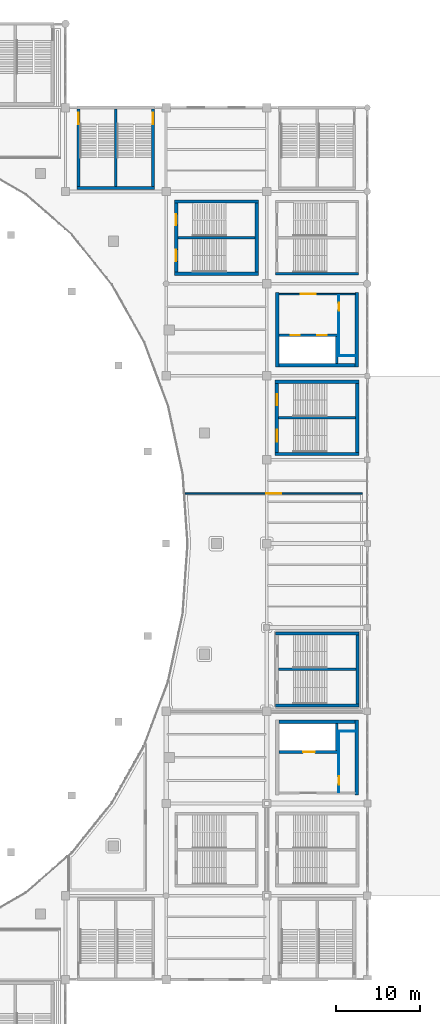
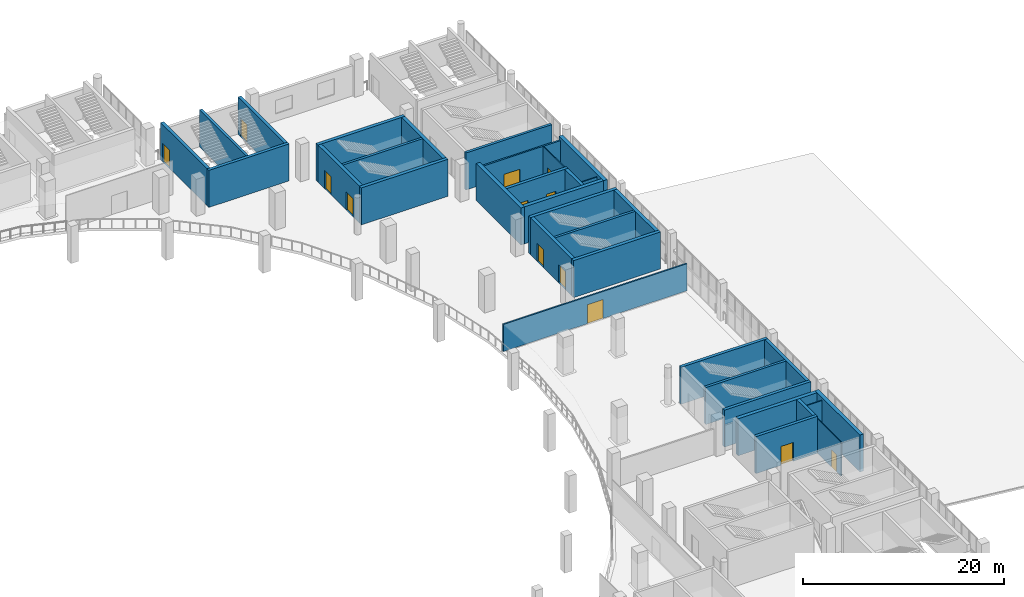
# One storey, part 85 of 108: 34 walls, 13 doors, 13 openings.
"""IFC4 building model written with IfcOpenShell, lengths in metres."""

from ifc_helpers import new_model, si_unit, direction, frame, frame_2d, origin, place, context, subcontext, project, spatial, rectangle, extrude, material, layer, layer_set, type_object, element, fill, save


model = new_model("IFC4")

# Units and contexts
model_context = context("Model", 3, precision=1e-05, world=origin(), true_north=direction((0.0, 1.0)))
body_context = subcontext(model_context, "Body", "Model", "MODEL_VIEW")
ifc_project = project(units=[si_unit("LENGTHUNIT", "METRE"), si_unit("AREAUNIT", "SQUARE_METRE"), si_unit("VOLUMEUNIT", "CUBIC_METRE"), si_unit("PLANEANGLEUNIT", "RADIAN"), si_unit("MASSUNIT", "GRAM", prefix="KILO")], contexts=[model_context])

# Site, building, storey
site_placement = place(None, origin())
site = spatial("IfcSite", under=ifc_project, at=site_placement, CompositionType="ELEMENT")
building_placement = place(site_placement, origin())
building = spatial("IfcBuilding", under=site, at=building_placement, Name="Brinegate Civic Arena", CompositionType="ELEMENT")
storey_placement = place(building_placement, frame((0.0, 0.0, 10.199951171875)))
storey = spatial("IfcBuildingStorey", under=building, at=storey_placement, Name="L02", CompositionType="ELEMENT", Elevation=10.199951171875)

# Walls
ifc_material_1 = material(Name="Concrete C50/60", Category="concrete")
ifc_layer_1 = layer(ifc_material_1, 0.35009765625, Name="Concrete C50/60")
ifc_layer_set_1 = layer_set([ifc_layer_1], Name="Concrete C50/60")
wall_type_1 = type_object("IfcWallType", Name="WALL-CORE-SHEAR-350", PredefinedType="SHEAR", material=ifc_layer_set_1)
for number, where, z_axis, x_axis, name in (
    (1, (157.02490234375, 42.699951171875, 0.0), (0.0, 0.0, 1.0), (1.0, 0.0, 0.0), "Stair ST-10 South Shear Wall L02 (WBD-64)"),
    (2, (157.02490234375, 51.300048828125, 0.0), (0.0, 0.0, 1.0), (1.0, 0.0, 0.0), "Stair ST-10 North Shear Wall L02 (WBD-65)"),
):
    element("IfcWall", number, at=place(storey_placement, frame(where, z_axis=z_axis, x_axis=x_axis)), inside=storey, type_object=wall_type_1, Name=name, PredefinedType="SHEAR", context=body_context, shape_type="SweptSolid", body=[
        extrude(rectangle(XDim=9.9501953125, YDim=0.35009765625, at=frame_2d((4.97509765625, 0.0))), origin(), (0.0, 0.0, 1.0), 4.5),
    ])
wall_1_placement = place(storey_placement, frame((166.800048828125, 42.875, 0.0), z_axis=(0.0, 0.0, 1.0), x_axis=(0.0, 1.0, 0.0)))
element("IfcWall", 3, at=wall_1_placement, inside=storey, type_object=wall_type_1, Name="Stair ST-10 East Shear Wall L02 (WBD-67)", PredefinedType="SHEAR", context=body_context, shape_type="SweptSolid", body=[
    extrude(rectangle(XDim=8.25, YDim=0.35009765625, at=frame_2d((4.125, 0.0))), origin(), (0.0, 0.0, 1.0), 4.5),
])
wall_2_placement = place(storey_placement, frame((133.375, 104.39990234375, 0.0), z_axis=(0.0, 0.0, 1.0), x_axis=(1.0, 0.0, 0.0)))
element("IfcWall", 4, at=wall_2_placement, inside=storey, type_object=wall_type_1, Name="Stair ST-13 South Shear Wall L02 (WBE-40)", PredefinedType="SHEAR", context=body_context, shape_type="SweptSolid", body=[
    extrude(rectangle(XDim=9.25, YDim=0.35009765625, at=frame_2d((4.625, 0.0))), origin(), (0.0, 0.0, 1.0), 4.5),
])

# Wall, opening, door
wall_3_placement = place(storey_placement, frame((133.550048828125, 104.574951171875, 0.0), z_axis=(0.0, 0.0, 1.0), x_axis=(0.0, 1.0, 0.0)))
wall_3 = element("IfcWall", 5, at=wall_3_placement, inside=storey, type_object=wall_type_1, Name="Stair ST-13 West Shear Wall L02 (WBE-42)", PredefinedType="SHEAR", context=body_context, shape_type="SweptSolid", body=[
    extrude(rectangle(XDim=9.25, YDim=0.35009765625, at=frame_2d((4.625, 0.0))), origin(), (0.0, 0.0, 1.0), 4.5),
])
opening_1_placement = place(wall_3_placement, frame((7.425048828125, 0.0, 0.0)))
opening_1 = element("IfcOpeningElement", 6, at=opening_1_placement, cuts=wall_3, Name="Opening D-ST13A-L02", PredefinedType="OPENING", context=body_context, shape_type="SweptSolid", body=[
    extrude(rectangle(XDim=1.39990234375, YDim=2.199951171875, at=frame_2d((0.699951171875, 1.10009765625))), frame((0.0, 0.18505859375, 0.0), z_axis=(0.0, -1.0, 0.0), x_axis=(1.0, 0.0, 0.0)), (0.0, 0.0, 1.0), 0.3701171875),
])
ifc_material_2 = material(Name="Galvanized hurricane steel", Category="steel")
door_type_1 = type_object("IfcDoorType", Name="DOOR-STAIR-2400X2200", OperationType="NOTDEFINED", PredefinedType="DOOR", material=ifc_material_2)
door_1_placement = place(opening_1_placement, frame((1.39990234375, 0.0, 0.0), z_axis=(0.0, 0.0, 1.0), x_axis=(-1.0, 0.0, 0.0)))
door_1 = element("IfcDoor", 7, at=door_1_placement, inside=storey, type_object=door_type_1, Name="Protected Exit Stair Door D-ST13A-L02", OperationType="DOUBLE_DOOR_SINGLE_SWING", OverallHeight=2.199951171875, OverallWidth=1.39990234375, PredefinedType="DOOR", context=body_context, shape_type="SweptSolid", body=[
    extrude(rectangle(XDim=1.39990234375, YDim=2.199951171875, at=frame_2d((0.699951171875, 1.10009765625))), frame((0.0, 0.02490234375, 0.0), z_axis=(0.0, -1.0, 0.0), x_axis=(1.0, 0.0, 0.0)), (0.0, 0.0, 1.0), 0.050048828125),
])
fill(opening_1, door_1)

wall_4_placement = place(storey_placement, frame((142.449951171875, 104.574951171875, 0.0), z_axis=(0.0, 0.0, 1.0), x_axis=(0.0, 1.0, 0.0)))
wall_4 = element("IfcWall", 8, at=wall_4_placement, inside=storey, type_object=wall_type_1, Name="Stair ST-13 East Shear Wall L02 (WBE-43)", PredefinedType="SHEAR", context=body_context, shape_type="SweptSolid", body=[
    extrude(rectangle(XDim=9.25, YDim=0.35009765625, at=frame_2d((4.625, 0.0))), origin(), (0.0, 0.0, 1.0), 4.5),
])
opening_2_placement = place(wall_4_placement, frame((7.465087890625, 0.0, 0.0)))
opening_2 = element("IfcOpeningElement", 9, at=opening_2_placement, cuts=wall_4, Name="Opening D-ST13B-L02", PredefinedType="OPENING", context=body_context, shape_type="SweptSolid", body=[
    extrude(rectangle(XDim=1.320068359375, YDim=2.199951171875, at=frame_2d((0.66015625, 1.10009765625))), frame((0.0, 0.18505859375, 0.0), z_axis=(0.0, -1.0, 0.0), x_axis=(1.0, 0.0, 0.0)), (0.0, 0.0, 1.0), 0.3701171875),
])
door_type_2 = type_object("IfcDoorType", Name="DOOR-STAIR-2200X2200", OperationType="NOTDEFINED", PredefinedType="DOOR", material=ifc_material_2)
door_2_placement = place(opening_2_placement, origin())
door_2 = element("IfcDoor", 10, at=door_2_placement, inside=storey, type_object=door_type_2, Name="Protected Exit Stair Door D-ST13B-L02", OperationType="DOUBLE_DOOR_SINGLE_SWING", OverallHeight=2.199951171875, OverallWidth=1.320068359375, PredefinedType="DOOR", context=body_context, shape_type="SweptSolid", body=[
    extrude(rectangle(XDim=1.320068359375, YDim=2.199951171875, at=frame_2d((0.66015625, 1.10009765625))), frame((0.0, 0.02490234375, 0.0), z_axis=(0.0, -1.0, 0.0), x_axis=(1.0, 0.0, 0.0)), (0.0, 0.0, 1.0), 0.050048828125),
])
fill(opening_2, door_2)

# Wall, openings, doors
wall_5_placement = place(storey_placement, frame((157.4599609375, 86.85009765625, 0.0), z_axis=(0.0, 0.0, 1.0), x_axis=(1.0, 0.0, 0.0)))
wall_5 = element("IfcWall", 11, at=wall_5_placement, inside=storey, type_object=wall_type_1, Name="Core K5 Lift Shaft Front Wall L02 (WBH-59)", PredefinedType="SHEAR", context=body_context, shape_type="SweptSolid", body=[
    extrude(rectangle(XDim=7.06494140625, YDim=0.35009765625, at=frame_2d((3.532470703125, 0.0))), origin(), (0.0, 0.0, 1.0), 4.5),
])
opening_3_placement = place(wall_5_placement, frame((1.389892578125, 0.0, 0.0)))
opening_3 = element("IfcOpeningElement", 12, at=opening_3_placement, cuts=wall_5, Name="Opening LD-PL7-L02", PredefinedType="OPENING", context=body_context, shape_type="SweptSolid", body=[
    extrude(rectangle(XDim=1.10009765625, YDim=2.199951171875, at=frame_2d((0.550048828125, 1.10009765625))), frame((0.0, 0.18505859375, 0.0), z_axis=(0.0, -1.0, 0.0), x_axis=(1.0, 0.0, 0.0)), (0.0, 0.0, 1.0), 0.3701171875),
])
opening_4_placement = place(wall_5_placement, frame((4.590087890625, 0.0, 0.0)))
opening_4 = element("IfcOpeningElement", 13, at=opening_4_placement, cuts=wall_5, Name="Opening LD-PL8-L02", PredefinedType="OPENING", context=body_context, shape_type="SweptSolid", body=[
    extrude(rectangle(XDim=1.10009765625, YDim=2.199951171875, at=frame_2d((0.550048828125, 1.10009765625))), frame((0.0, 0.18505859375, 0.0), z_axis=(0.0, -1.0, 0.0), x_axis=(1.0, 0.0, 0.0)), (0.0, 0.0, 1.0), 0.3701171875),
])
ifc_material_3 = material(Name="Architectural stainless steel balustrade", Category="steel")
door_type_3 = type_object("IfcDoorType", Name="DOOR-LIFT-1100X2200", OperationType="SLIDING_TO_LEFT", PredefinedType="DOOR", material=ifc_material_3)
door_3_placement = place(opening_3_placement, origin())
door_3 = element("IfcDoor", 14, at=door_3_placement, inside=storey, type_object=door_type_3, Name="Sliding Lift Landing Door LD-PL7-L02", OperationType="SLIDING_TO_LEFT", OverallHeight=2.199951171875, OverallWidth=1.10009765625, PredefinedType="DOOR", context=body_context, shape_type="SweptSolid", body=[
    extrude(rectangle(XDim=1.10009765625, YDim=2.199951171875, at=frame_2d((0.550048828125, 1.10009765625))), frame((0.0, 0.02490234375, 0.0), z_axis=(0.0, -1.0, 0.0), x_axis=(1.0, 0.0, 0.0)), (0.0, 0.0, 1.0), 0.050048828125),
])
fill(opening_3, door_3)
door_4_placement = place(opening_4_placement, origin())
door_4 = element("IfcDoor", 15, at=door_4_placement, inside=storey, type_object=door_type_3, Name="Sliding Lift Landing Door LD-PL8-L02", OperationType="SLIDING_TO_LEFT", OverallHeight=2.199951171875, OverallWidth=1.10009765625, PredefinedType="DOOR", context=body_context, shape_type="SweptSolid", body=[
    extrude(rectangle(XDim=1.10009765625, YDim=2.199951171875, at=frame_2d((0.550048828125, 1.10009765625))), frame((0.0, 0.02490234375, 0.0), z_axis=(0.0, -1.0, 0.0), x_axis=(1.0, 0.0, 0.0)), (0.0, 0.0, 1.0), 0.050048828125),
])
fill(opening_4, door_4)

# Wall
wall_6_placement = place(storey_placement, frame((164.35009765625, 83.4599609375, 0.0), z_axis=(0.0, 0.0, 1.0), x_axis=(0.0, 1.0, 0.0)))
element("IfcWall", 16, at=wall_6_placement, inside=storey, type_object=wall_type_1, Name="Core K5 Lift Shaft End Wall L02 (WBH-60)", PredefinedType="SHEAR", context=body_context, shape_type="SweptSolid", body=[
    extrude(rectangle(XDim=3.215087890625, YDim=0.35009765625, at=frame_2d((1.607421875, 0.0))), origin(), (0.0, 0.0, 1.0), 4.5),
])

# Wall, opening, door
wall_7_placement = place(storey_placement, frame((157.4599609375, 37.14990234375, 0.0), z_axis=(0.0, 0.0, 1.0), x_axis=(1.0, 0.0, 0.0)))
wall_7 = element("IfcWall", 17, at=wall_7_placement, inside=storey, type_object=wall_type_1, Name="Core K6 Lift Shaft Front Wall L02 (WBH-99)", PredefinedType="SHEAR", context=body_context, shape_type="SweptSolid", body=[
    extrude(rectangle(XDim=7.06494140625, YDim=0.35009765625, at=frame_2d((3.532470703125, 0.0))), origin(), (0.0, 0.0, 1.0), 4.5),
])
opening_5_placement = place(wall_7_placement, frame((2.889892578125, 0.0, 0.0)))
opening_5 = element("IfcOpeningElement", 18, at=opening_5_placement, cuts=wall_7, Name="Opening LD-GL2-L02", PredefinedType="OPENING", context=body_context, shape_type="SweptSolid", body=[
    extrude(rectangle(XDim=1.39990234375, YDim=2.300048828125, at=frame_2d((0.699951171875, 1.14990234375))), frame((0.0, 0.18505859375, 0.0), z_axis=(0.0, -1.0, 0.0), x_axis=(1.0, 0.0, 0.0)), (0.0, 0.0, 1.0), 0.3701171875),
])
door_type_4 = type_object("IfcDoorType", Name="DOOR-LIFT-1400X2300", OperationType="SLIDING_TO_LEFT", PredefinedType="DOOR", material=ifc_material_3)
door_5_placement = place(opening_5_placement, origin())
door_5 = element("IfcDoor", 19, at=door_5_placement, inside=storey, type_object=door_type_4, Name="Sliding Lift Landing Door LD-GL2-L02", OperationType="SLIDING_TO_LEFT", OverallHeight=2.300048828125, OverallWidth=1.39990234375, PredefinedType="DOOR", context=body_context, shape_type="SweptSolid", body=[
    extrude(rectangle(XDim=1.39990234375, YDim=2.300048828125, at=frame_2d((0.699951171875, 1.14990234375))), frame((0.0, 0.02490234375, 0.0), z_axis=(0.0, -1.0, 0.0), x_axis=(1.0, 0.0, 0.0)), (0.0, 0.0, 1.0), 0.050048828125),
])
fill(opening_5, door_5)

# Walls
wall_8_placement = place(storey_placement, frame((164.35009765625, 37.324951171875, 0.0), z_axis=(0.0, 0.0, 1.0), x_axis=(0.0, 1.0, 0.0)))
element("IfcWall", 20, at=wall_8_placement, inside=storey, type_object=wall_type_1, Name="Core K6 Lift Shaft End Wall L02 (WBI-01)", PredefinedType="SHEAR", context=body_context, shape_type="SweptSolid", body=[
    extrude(rectangle(XDim=3.215087890625, YDim=0.35009765625, at=frame_2d((1.607421875, 0.0))), origin(), (0.0, 0.0, 1.0), 4.5),
])
ifc_layer_2 = layer(ifc_material_1, 0.389892578125, Name="Concrete C50/60")
ifc_layer_set_2 = layer_set([ifc_layer_2], Name="Concrete C50/60")
wall_type_2 = type_object("IfcWallType", Name="WALL-CORE-SHEAR-390", PredefinedType="SHEAR", material=ifc_layer_set_2)
for number, where, z_axis, x_axis, name in (
    (21, (157.0048828125, 72.699951171875, 0.0), (0.0, 0.0, 1.0), (1.0, 0.0, 0.0), "Stair ST-09 South Shear Wall L02 (WBD-39)"),
    (22, (157.0048828125, 81.300048828125, 0.0), (0.0, 0.0, 1.0), (1.0, 0.0, 0.0), "Stair ST-09 North Shear Wall L02 (WBD-40)"),
):
    element("IfcWall", number, at=place(storey_placement, frame(where, z_axis=z_axis, x_axis=x_axis)), inside=storey, type_object=wall_type_2, Name=name, PredefinedType="SHEAR", context=body_context, shape_type="SweptSolid", body=[
        extrude(rectangle(XDim=9.990234375, YDim=0.389892578125, at=frame_2d((4.9951171875, 0.0))), origin(), (0.0, 0.0, 1.0), 4.5),
    ])

# Wall, openings, doors
wall_9_placement = place(storey_placement, frame((157.199951171875, 72.89501953125, 0.0), z_axis=(0.0, 0.0, 1.0), x_axis=(0.0, 1.0, 0.0)))
wall_9 = element("IfcWall", 23, at=wall_9_placement, inside=storey, type_object=wall_type_2, Name="Stair ST-09 West Shear Wall L02 (WBD-41)", PredefinedType="SHEAR", context=body_context, shape_type="SweptSolid", body=[
    extrude(rectangle(XDim=8.2099609375, YDim=0.389892578125, at=frame_2d((4.10498046875, 0.0))), origin(), (0.0, 0.0, 1.0), 4.5),
])
opening_6_placement = place(wall_9_placement, frame((1.2548828125, 0.0, 0.0)))
opening_6 = element("IfcOpeningElement", 24, at=opening_6_placement, cuts=wall_9, Name="Opening D-ST09A-L02", PredefinedType="OPENING", context=body_context, shape_type="SweptSolid", body=[
    extrude(rectangle(XDim=1.39990234375, YDim=2.199951171875, at=frame_2d((0.699951171875, 1.10009765625))), frame((0.0, 0.204833984375, 0.0), z_axis=(0.0, -1.0, 0.0), x_axis=(1.0, 0.0, 0.0)), (0.0, 0.0, 1.0), 0.409912109375),
])
opening_7_placement = place(wall_9_placement, frame((5.594970703125, 0.0, 0.0)))
opening_7 = element("IfcOpeningElement", 25, at=opening_7_placement, cuts=wall_9, Name="Opening D-ST09B-L02", PredefinedType="OPENING", context=body_context, shape_type="SweptSolid", body=[
    extrude(rectangle(XDim=1.320068359375, YDim=2.199951171875, at=frame_2d((0.66015625, 1.10009765625))), frame((0.0, 0.204833984375, 0.0), z_axis=(0.0, -1.0, 0.0), x_axis=(1.0, 0.0, 0.0)), (0.0, 0.0, 1.0), 0.409912109375),
])
door_6_placement = place(opening_7_placement, origin())
door_6 = element("IfcDoor", 26, at=door_6_placement, inside=storey, type_object=door_type_2, Name="Protected Exit Stair Door D-ST09B-L02", OperationType="DOUBLE_DOOR_SINGLE_SWING", OverallHeight=2.199951171875, OverallWidth=1.320068359375, PredefinedType="DOOR", context=body_context, shape_type="SweptSolid", body=[
    extrude(rectangle(XDim=1.320068359375, YDim=2.199951171875, at=frame_2d((0.66015625, 1.10009765625))), frame((0.0, 0.02490234375, 0.0), z_axis=(0.0, -1.0, 0.0), x_axis=(1.0, 0.0, 0.0)), (0.0, 0.0, 1.0), 0.050048828125),
])
fill(opening_7, door_6)
door_7_placement = place(opening_6_placement, origin())
door_7 = element("IfcDoor", 27, at=door_7_placement, inside=storey, type_object=door_type_1, Name="Protected Exit Stair Door D-ST09A-L02", OperationType="DOUBLE_DOOR_SINGLE_SWING", OverallHeight=2.199951171875, OverallWidth=1.39990234375, PredefinedType="DOOR", context=body_context, shape_type="SweptSolid", body=[
    extrude(rectangle(XDim=1.39990234375, YDim=2.199951171875, at=frame_2d((0.699951171875, 1.10009765625))), frame((0.0, 0.02490234375, 0.0), z_axis=(0.0, -1.0, 0.0), x_axis=(1.0, 0.0, 0.0)), (0.0, 0.0, 1.0), 0.050048828125),
])
fill(opening_6, door_7)

# Walls
wall_10_placement = place(storey_placement, frame((166.800048828125, 72.89501953125, 0.0), z_axis=(0.0, 0.0, 1.0), x_axis=(0.0, 1.0, 0.0)))
element("IfcWall", 28, at=wall_10_placement, inside=storey, type_object=wall_type_2, Name="Stair ST-09 East Shear Wall L02 (WBD-42)", PredefinedType="SHEAR", context=body_context, shape_type="SweptSolid", body=[
    extrude(rectangle(XDim=8.2099609375, YDim=0.389892578125, at=frame_2d((4.10498046875, 0.0))), origin(), (0.0, 0.0, 1.0), 4.5),
])
for number, where, z_axis, x_axis, name in (
    (29, (145.0048828125, 94.199951171875, 0.0), (0.0, 0.0, 1.0), (1.0, 0.0, 0.0), "Stair ST-18 South Shear Wall L02 (WBL-11)"),
    (30, (145.0048828125, 102.800048828125, 0.0), (0.0, 0.0, 1.0), (1.0, 0.0, 0.0), "Stair ST-18 North Shear Wall L02 (WBL-12)"),
):
    element("IfcWall", number, at=place(storey_placement, frame(where, z_axis=z_axis, x_axis=x_axis)), inside=storey, type_object=wall_type_2, Name=name, PredefinedType="SHEAR", context=body_context, shape_type="SweptSolid", body=[
        extrude(rectangle(XDim=9.990234375, YDim=0.389892578125, at=frame_2d((4.9951171875, 0.0))), origin(), (0.0, 0.0, 1.0), 4.5),
    ])

# Wall, openings, doors
wall_11_placement = place(storey_placement, frame((145.199951171875, 94.39501953125, 0.0), z_axis=(0.0, 0.0, 1.0), x_axis=(0.0, 1.0, 0.0)))
wall_11 = element("IfcWall", 31, at=wall_11_placement, inside=storey, type_object=wall_type_2, Name="Stair ST-18 West Shear Wall L02 (WBL-13)", PredefinedType="SHEAR", context=body_context, shape_type="SweptSolid", body=[
    extrude(rectangle(XDim=8.2099609375, YDim=0.389892578125, at=frame_2d((4.10498046875, 0.0))), origin(), (0.0, 0.0, 1.0), 4.5),
])
opening_8_placement = place(wall_11_placement, frame((1.2548828125, 0.0, 0.0)))
opening_8 = element("IfcOpeningElement", 32, at=opening_8_placement, cuts=wall_11, Name="Opening D-ST18A-L02", PredefinedType="OPENING", context=body_context, shape_type="SweptSolid", body=[
    extrude(rectangle(XDim=1.39990234375, YDim=2.199951171875, at=frame_2d((0.699951171875, 1.10009765625))), frame((0.0, 0.204833984375, 0.0), z_axis=(0.0, -1.0, 0.0), x_axis=(1.0, 0.0, 0.0)), (0.0, 0.0, 1.0), 0.409912109375),
])
opening_9_placement = place(wall_11_placement, frame((5.594970703125, 0.0, 0.0)))
opening_9 = element("IfcOpeningElement", 33, at=opening_9_placement, cuts=wall_11, Name="Opening D-ST18B-L02", PredefinedType="OPENING", context=body_context, shape_type="SweptSolid", body=[
    extrude(rectangle(XDim=1.320068359375, YDim=2.199951171875, at=frame_2d((0.66015625, 1.10009765625))), frame((0.0, 0.204833984375, 0.0), z_axis=(0.0, -1.0, 0.0), x_axis=(1.0, 0.0, 0.0)), (0.0, 0.0, 1.0), 0.409912109375),
])
door_8_placement = place(opening_9_placement, origin())
door_8 = element("IfcDoor", 34, at=door_8_placement, inside=storey, type_object=door_type_2, Name="Protected Exit Stair Door D-ST18B-L02", OperationType="DOUBLE_DOOR_SINGLE_SWING", OverallHeight=2.199951171875, OverallWidth=1.320068359375, PredefinedType="DOOR", context=body_context, shape_type="SweptSolid", body=[
    extrude(rectangle(XDim=1.320068359375, YDim=2.199951171875, at=frame_2d((0.66015625, 1.10009765625))), frame((0.0, 0.02490234375, 0.0), z_axis=(0.0, -1.0, 0.0), x_axis=(1.0, 0.0, 0.0)), (0.0, 0.0, 1.0), 0.050048828125),
])
fill(opening_9, door_8)
door_9_placement = place(opening_8_placement, origin())
door_9 = element("IfcDoor", 35, at=door_9_placement, inside=storey, type_object=door_type_1, Name="Protected Exit Stair Door D-ST18A-L02", OperationType="DOUBLE_DOOR_SINGLE_SWING", OverallHeight=2.199951171875, OverallWidth=1.39990234375, PredefinedType="DOOR", context=body_context, shape_type="SweptSolid", body=[
    extrude(rectangle(XDim=1.39990234375, YDim=2.199951171875, at=frame_2d((0.699951171875, 1.10009765625))), frame((0.0, 0.02490234375, 0.0), z_axis=(0.0, -1.0, 0.0), x_axis=(1.0, 0.0, 0.0)), (0.0, 0.0, 1.0), 0.050048828125),
])
fill(opening_8, door_9)

# Walls
wall_12_placement = place(storey_placement, frame((154.800048828125, 94.39501953125, 0.0), z_axis=(0.0, 0.0, 1.0), x_axis=(0.0, 1.0, 0.0)))
element("IfcWall", 36, at=wall_12_placement, inside=storey, type_object=wall_type_2, Name="Stair ST-18 East Shear Wall L02 (WBL-14)", PredefinedType="SHEAR", context=body_context, shape_type="SweptSolid", body=[
    extrude(rectangle(XDim=8.2099609375, YDim=0.389892578125, at=frame_2d((4.10498046875, 0.0))), origin(), (0.0, 0.0, 1.0), 4.5),
])
ifc_layer_3 = layer(ifc_material_1, 0.419921875, Name="Concrete C50/60")
ifc_layer_set_3 = layer_set([ifc_layer_3], Name="Concrete C50/60")
wall_type_3 = type_object("IfcWallType", Name="WALL-CORE-SHEAR-420", PredefinedType="SHEAR", material=ifc_layer_set_3)
for number, where, z_axis, x_axis, name in (
    (37, (157.25, 83.0400390625, 0.0), (0.0, 0.0, 1.0), (0.0, 1.0, 0.0), "Core K5 West Shear Wall L02 (WBH-56)"),
    (38, (166.75, 83.0400390625, 0.0), (0.0, 0.0, 1.0), (0.0, 1.0, 0.0), "Core K5 East Shear Wall L02 (WBH-57)"),
):
    element("IfcWall", number, at=place(storey_placement, frame(where, z_axis=z_axis, x_axis=x_axis)), inside=storey, type_object=wall_type_3, Name=name, PredefinedType="SHEAR", context=body_context, shape_type="SweptSolid", body=[
        extrude(rectangle(XDim=8.919921875, YDim=0.419921875, at=frame_2d((4.4599609375, 0.0))), origin(), (0.0, 0.0, 1.0), 4.5),
    ])
wall_13_placement = place(storey_placement, frame((157.4599609375, 83.25, 0.0), z_axis=(0.0, 0.0, 1.0), x_axis=(1.0, 0.0, 0.0)))
element("IfcWall", 39, at=wall_13_placement, inside=storey, type_object=wall_type_3, Name="Core K5 South Shear Wall L02 (WBH-58)", PredefinedType="SHEAR", context=body_context, shape_type="SweptSolid", body=[
    extrude(rectangle(XDim=9.080078125, YDim=0.419921875, at=frame_2d((4.5400390625, 0.0))), origin(), (0.0, 0.0, 1.0), 4.5),
])
wall_14_placement = place(storey_placement, frame((166.75, 32.0400390625, 0.0), z_axis=(0.0, 0.0, 1.0), x_axis=(0.0, 1.0, 0.0)))
element("IfcWall", 40, at=wall_14_placement, inside=storey, type_object=wall_type_3, Name="Core K6 East Shear Wall L02 (WBH-97)", PredefinedType="SHEAR", context=body_context, shape_type="SweptSolid", body=[
    extrude(rectangle(XDim=8.919921875, YDim=0.419921875, at=frame_2d((4.4599609375, 0.0))), origin(), (0.0, 0.0, 1.0), 4.5),
])
wall_15_placement = place(storey_placement, frame((157.4599609375, 40.75, 0.0), z_axis=(0.0, 0.0, 1.0), x_axis=(1.0, 0.0, 0.0)))
element("IfcWall", 41, at=wall_15_placement, inside=storey, type_object=wall_type_3, Name="Core K6 North Shear Wall L02 (WBH-98)", PredefinedType="SHEAR", context=body_context, shape_type="SweptSolid", body=[
    extrude(rectangle(XDim=9.080078125, YDim=0.419921875, at=frame_2d((4.5400390625, 0.0))), origin(), (0.0, 0.0, 1.0), 4.5),
])

# Wall, opening, door
ifc_material_4 = material(Name="Fire-rated gypsum partition assembly")
ifc_layer_4 = layer(ifc_material_4, 0.175048828125, Name="Fire-rated gypsum partition assembly")
ifc_layer_set_4 = layer_set([ifc_layer_4], Name="Fire-rated gypsum partition assembly")
wall_type_4 = type_object("IfcWallType", Name="WALL-PART-RATED-175", PredefinedType="PARTITIONING", material=ifc_layer_set_4)
wall_16_placement = place(storey_placement, frame((146.279052734375, 68.0, 0.0), z_axis=(0.0, 0.0, 1.0), x_axis=(1.0, 0.0, 0.0)))
wall_16 = element("IfcWall", 42, at=wall_16_placement, inside=storey, type_object=wall_type_4, Name="East Club Culinary Lounge and Bar Partition Wall E6 (WBJ-30)", PredefinedType="PARTITIONING", context=body_context, shape_type="SweptSolid", body=[
    extrude(rectangle(XDim=21.120849609375, YDim=0.175048828125, at=frame_2d((10.560546875, 0.0))), origin(), (0.0, 0.0, 1.0), 3.279052734375),
])
opening_10_placement = place(wall_16_placement, frame((9.660888671875, 0.0, 0.0)))
opening_10 = element("IfcOpeningElement", 43, at=opening_10_placement, cuts=wall_16, Name="Opening D-L02-187", PredefinedType="OPENING", context=body_context, shape_type="SweptSolid", body=[
    extrude(rectangle(XDim=1.800048828125, YDim=2.300048828125, at=frame_2d((0.89990234375, 1.14990234375))), frame((0.0, 0.097412109375, 0.0), z_axis=(0.0, -1.0, 0.0), x_axis=(1.0, 0.0, 0.0)), (0.0, 0.0, 1.0), 0.195068359375),
])
ifc_material_5 = material(Name="Marine grade aluminium", Category="aluminium")
door_type_5 = type_object("IfcDoorType", Name="DOOR-CONC-1800X2300", OperationType="NOTDEFINED", PredefinedType="DOOR", material=ifc_material_5)
door_10_placement = place(opening_10_placement, origin())
door_10 = element("IfcDoor", 44, at=door_10_placement, inside=storey, type_object=door_type_5, Name="East Club Culinary Lounge and Bar Door D-L02-187", OperationType="DOUBLE_DOOR_SINGLE_SWING", OverallHeight=2.300048828125, OverallWidth=1.800048828125, PredefinedType="DOOR", context=body_context, shape_type="SweptSolid", body=[
    extrude(rectangle(XDim=1.800048828125, YDim=2.300048828125, at=frame_2d((0.89990234375, 1.14990234375))), frame((0.0, 0.02490234375, 0.0), z_axis=(0.0, -1.0, 0.0), x_axis=(1.0, 0.0, 0.0)), (0.0, 0.0, 1.0), 0.050048828125),
])
fill(opening_10, door_10)

ifc_material_6 = material(Name="Concrete blockwork masonry", Category="masonry")
ifc_layer_5 = layer(ifc_material_6, 0.18994140625, Name="Concrete blockwork masonry")
ifc_layer_set_5 = layer_set([ifc_layer_5], Name="Concrete blockwork masonry")
wall_type_5 = type_object("IfcWallType", Name="WALL-PART-RATED-190", PredefinedType="PARTITIONING", material=ifc_layer_set_5)
wall_17_placement = place(storey_placement, frame((157.469970703125, 91.75, 0.0), z_axis=(0.0, 0.0, 1.0), x_axis=(1.0, 0.0, 0.0)))
wall_17 = element("IfcWall", 45, at=wall_17_placement, inside=storey, type_object=wall_type_5, Name="Core K5 Concourse Lobby Wall L02 (WBH-61)", PredefinedType="PARTITIONING", context=body_context, shape_type="SweptSolid", body=[
    extrude(rectangle(XDim=9.06005859375, YDim=0.18994140625, at=frame_2d((4.530029296875, 0.0))), origin(), (0.0, 0.0, 1.0), 4.150146484375),
])
opening_11_placement = place(wall_17_placement, frame((2.60009765625, 0.0, 0.0)))
opening_11 = element("IfcOpeningElement", 46, at=opening_11_placement, cuts=wall_17, Name="Opening D-K5L-L02", PredefinedType="OPENING", context=body_context, shape_type="SweptSolid", body=[
    extrude(rectangle(XDim=1.800048828125, YDim=2.300048828125, at=frame_2d((0.89990234375, 1.14990234375))), frame((0.0, 0.10498046875, 0.0), z_axis=(0.0, -1.0, 0.0), x_axis=(1.0, 0.0, 0.0)), (0.0, 0.0, 1.0), 0.2099609375),
])
door_11_placement = place(opening_11_placement, origin())
door_11 = element("IfcDoor", 47, at=door_11_placement, inside=storey, type_object=door_type_5, Name="Lift Lobby Door D-K5L-L02", OperationType="DOUBLE_DOOR_SINGLE_SWING", OverallHeight=2.300048828125, OverallWidth=1.800048828125, PredefinedType="DOOR", context=body_context, shape_type="SweptSolid", body=[
    extrude(rectangle(XDim=1.800048828125, YDim=2.300048828125, at=frame_2d((0.89990234375, 1.14990234375))), frame((0.0, 0.02490234375, 0.0), z_axis=(0.0, -1.0, 0.0), x_axis=(1.0, 0.0, 0.0)), (0.0, 0.0, 1.0), 0.050048828125),
])
fill(opening_11, door_11)

ifc_layer_6 = layer(ifc_material_6, 0.10009765625, Name="Concrete blockwork masonry")
ifc_layer_set_6 = layer_set([ifc_layer_6], Name="Concrete blockwork masonry")
wall_type_6 = type_object("IfcWallType", Name="WALL-PART-WET-100", PredefinedType="PARTITIONING", material=ifc_layer_set_6)
wall_18_placement = place(storey_placement, frame((164.60009765625, 84.39990234375, 0.0), z_axis=(0.0, 0.0, 1.0), x_axis=(0.0, 1.0, 0.0)))
wall_18 = element("IfcWall", 48, at=wall_18_placement, inside=storey, type_object=wall_type_6, Name="Accessible WC K5 Partition L02 (WBH-62)", PredefinedType="PARTITIONING", context=body_context, shape_type="SweptSolid", body=[
    extrude(rectangle(XDim=7.25, YDim=0.10009765625, at=frame_2d((3.625, 0.0))), origin(), (0.0, 0.0, 1.0), 4.150146484375),
])
opening_12_placement = place(wall_18_placement, frame((5.35009765625, 0.0, 0.0)))
opening_12 = element("IfcOpeningElement", 49, at=opening_12_placement, cuts=wall_18, Name="Opening D-K5W-L02", PredefinedType="OPENING", context=body_context, shape_type="SweptSolid", body=[
    extrude(rectangle(XDim=1.0, YDim=2.10009765625, at=frame_2d((0.5, 1.050048828125))), frame((0.0, 0.06005859375, 0.0), z_axis=(0.0, -1.0, 0.0), x_axis=(1.0, 0.0, 0.0)), (0.0, 0.0, 1.0), 0.1201171875),
])
ifc_material_7 = material(Name="Hardwood acoustic timber door", Category="wood")
door_type_6 = type_object("IfcDoorType", Name="DOOR-AWC-1000X2100", OperationType="NOTDEFINED", PredefinedType="DOOR", material=ifc_material_7)
door_12_placement = place(opening_12_placement, origin())
door_12 = element("IfcDoor", 50, at=door_12_placement, inside=storey, type_object=door_type_6, Name="Accessible WC Door D-K5W-L02", OperationType="SINGLE_SWING_RIGHT", OverallHeight=2.10009765625, OverallWidth=1.0, PredefinedType="DOOR", context=body_context, shape_type="SweptSolid", body=[
    extrude(rectangle(XDim=1.0, YDim=2.10009765625, at=frame_2d((0.5, 1.050048828125))), frame((0.0, 0.02490234375, 0.0), z_axis=(0.0, -1.0, 0.0), x_axis=(1.0, 0.0, 0.0)), (0.0, 0.0, 1.0), 0.050048828125),
])
fill(opening_12, door_12)

# Wall
wall_19_placement = place(storey_placement, frame((164.60009765625, 84.39990234375, 0.0), z_axis=(0.0, 0.0, 1.0), x_axis=(1.0, 0.0, 0.0)))
element("IfcWall", 51, at=wall_19_placement, inside=storey, type_object=wall_type_6, Name="Accessible WC K5 Back Partition L02 (WBH-63)", PredefinedType="PARTITIONING", context=body_context, shape_type="SweptSolid", body=[
    extrude(rectangle(XDim=2.0, YDim=0.10009765625, at=frame_2d((1.0, 0.0))), origin(), (0.0, 0.0, 1.0), 4.150146484375),
])

# Wall, opening, door
wall_20_placement = place(storey_placement, frame((164.60009765625, 32.35009765625, 0.0), z_axis=(0.0, 0.0, 1.0), x_axis=(0.0, 1.0, 0.0)))
wall_20 = element("IfcWall", 52, at=wall_20_placement, inside=storey, type_object=wall_type_6, Name="Accessible WC K6 Partition L02 (WBI-03)", PredefinedType="PARTITIONING", context=body_context, shape_type="SweptSolid", body=[
    extrude(rectangle(XDim=7.25, YDim=0.10009765625, at=frame_2d((3.625, 0.0))), origin(), (0.0, 0.0, 1.0), 4.150146484375),
])
opening_13_placement = place(wall_20_placement, frame((0.89990234375, 0.0, 0.0)))
opening_13 = element("IfcOpeningElement", 53, at=opening_13_placement, cuts=wall_20, Name="Opening D-K6W-L02", PredefinedType="OPENING", context=body_context, shape_type="SweptSolid", body=[
    extrude(rectangle(XDim=1.0, YDim=2.10009765625, at=frame_2d((0.5, 1.050048828125))), frame((0.0, 0.06005859375, 0.0), z_axis=(0.0, -1.0, 0.0), x_axis=(1.0, 0.0, 0.0)), (0.0, 0.0, 1.0), 0.1201171875),
])
door_13_placement = place(opening_13_placement, origin())
door_13 = element("IfcDoor", 54, at=door_13_placement, inside=storey, type_object=door_type_6, Name="Accessible WC Door D-K6W-L02", OperationType="SINGLE_SWING_LEFT", OverallHeight=2.10009765625, OverallWidth=1.0, PredefinedType="DOOR", context=body_context, shape_type="SweptSolid", body=[
    extrude(rectangle(XDim=1.0, YDim=2.10009765625, at=frame_2d((0.5, 1.050048828125))), frame((0.0, 0.02490234375, 0.0), z_axis=(0.0, -1.0, 0.0), x_axis=(1.0, 0.0, 0.0)), (0.0, 0.0, 1.0), 0.050048828125),
])
fill(opening_13, door_13)

# Walls
wall_21_placement = place(storey_placement, frame((164.60009765625, 39.60009765625, 0.0), z_axis=(0.0, 0.0, 1.0), x_axis=(1.0, 0.0, 0.0)))
element("IfcWall", 55, at=wall_21_placement, inside=storey, type_object=wall_type_6, Name="Accessible WC K6 Back Partition L02 (WBI-04)", PredefinedType="PARTITIONING", context=body_context, shape_type="SweptSolid", body=[
    extrude(rectangle(XDim=2.0, YDim=0.10009765625, at=frame_2d((1.0, 0.0))), origin(), (0.0, 0.0, 1.0), 4.150146484375),
])
ifc_layer_7 = layer(ifc_material_1, 0.2900390625, Name="Concrete C50/60")
ifc_layer_set_7 = layer_set([ifc_layer_7], Name="Concrete C50/60")
wall_type_7 = type_object("IfcWallType", Name="WALL-STAIR-SHEAR-290", PredefinedType="SHEAR", material=ifc_layer_set_7)
wall_22_placement = place(storey_placement, frame((157.39501953125, 77.0, 0.0), z_axis=(0.0, 0.0, 1.0), x_axis=(1.0, 0.0, 0.0)))
element("IfcWall", 56, at=wall_22_placement, inside=storey, type_object=wall_type_7, Name="Stair ST-09 Central Dividing Shear Wall L02 (WBD-43)", PredefinedType="SHEAR", context=body_context, shape_type="SweptSolid", body=[
    extrude(rectangle(XDim=9.2099609375, YDim=0.2900390625, at=frame_2d((4.60498046875, 0.0))), origin(), (0.0, 0.0, 1.0), 4.5),
])
for number, where, z_axis, x_axis, name in (
    (57, (157.375, 47.0, 0.0), (0.0, 0.0, 1.0), (1.0, 0.0, 0.0), "Stair ST-10 Central Dividing Shear Wall L02 (WBD-68)"),
    (58, (138.0, 104.574951171875, 0.0), (0.0, 0.0, 1.0), (0.0, 1.0, 0.0), "Stair ST-13 Central Dividing Shear Wall L02 (WBE-44)"),
):
    element("IfcWall", number, at=place(storey_placement, frame(where, z_axis=z_axis, x_axis=x_axis)), inside=storey, type_object=wall_type_7, Name=name, PredefinedType="SHEAR", context=body_context, shape_type="SweptSolid", body=[
        extrude(rectangle(XDim=9.25, YDim=0.2900390625, at=frame_2d((4.625, 0.0))), origin(), (0.0, 0.0, 1.0), 4.5),
    ])
wall_23_placement = place(storey_placement, frame((145.39501953125, 98.5, 0.0), z_axis=(0.0, 0.0, 1.0), x_axis=(1.0, 0.0, 0.0)))
element("IfcWall", 59, at=wall_23_placement, inside=storey, type_object=wall_type_7, Name="Stair ST-18 Central Dividing Shear Wall L02 (WBL-15)", PredefinedType="SHEAR", context=body_context, shape_type="SweptSolid", body=[
    extrude(rectangle(XDim=9.2099609375, YDim=0.2900390625, at=frame_2d((4.60498046875, 0.0))), origin(), (0.0, 0.0, 1.0), 4.5),
])
wall_24_placement = place(storey_placement, frame((157.054931640625, 94.199951171875, 0.0), z_axis=(0.0, 0.0, 1.0), x_axis=(1.0, 0.0, 0.0)))
element("IfcWall", 60, at=wall_24_placement, inside=storey, type_object=wall_type_7, Name="Stair ST-20 South Shear Wall L02 (WBL-61)", PredefinedType="SHEAR", context=body_context, shape_type="SweptSolid", body=[
    extrude(rectangle(XDim=9.89013671875, YDim=0.2900390625, at=frame_2d((4.945068359375, 0.0))), origin(), (0.0, 0.0, 1.0), 4.5),
])

save(model, "model.ifc")
